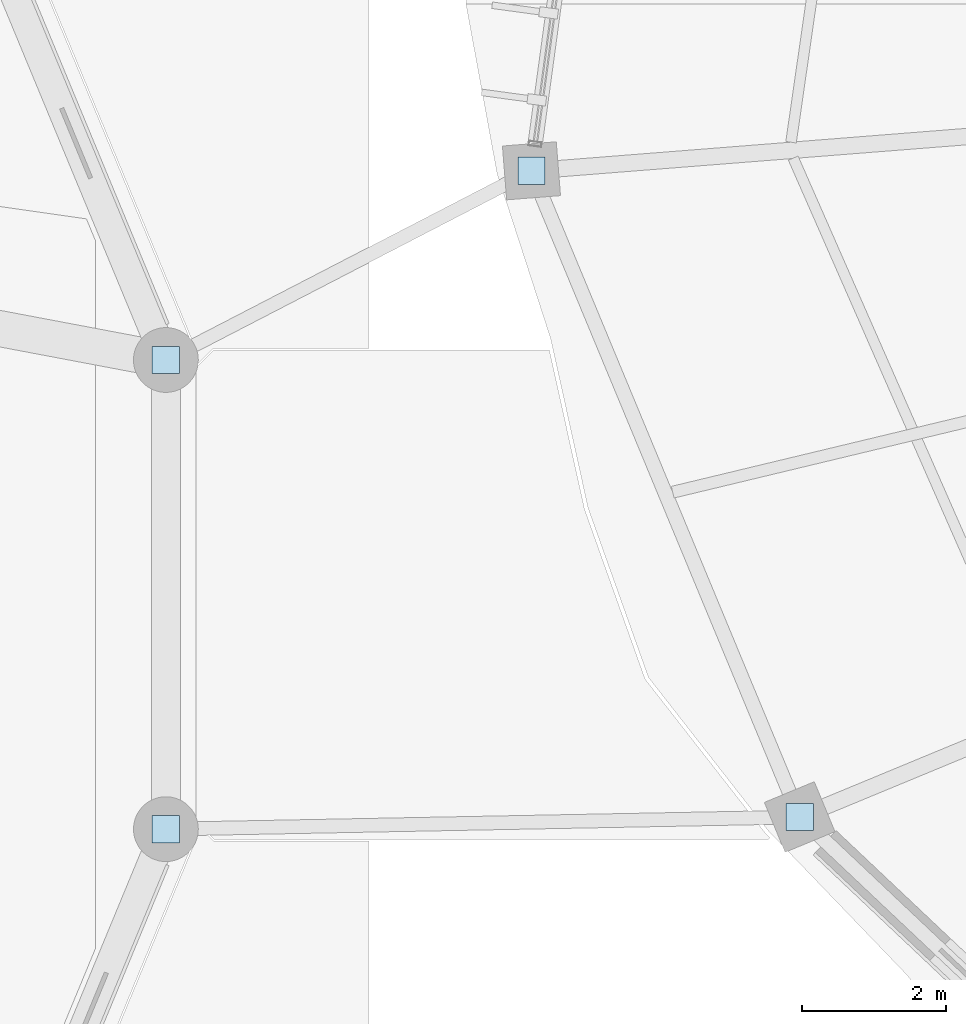
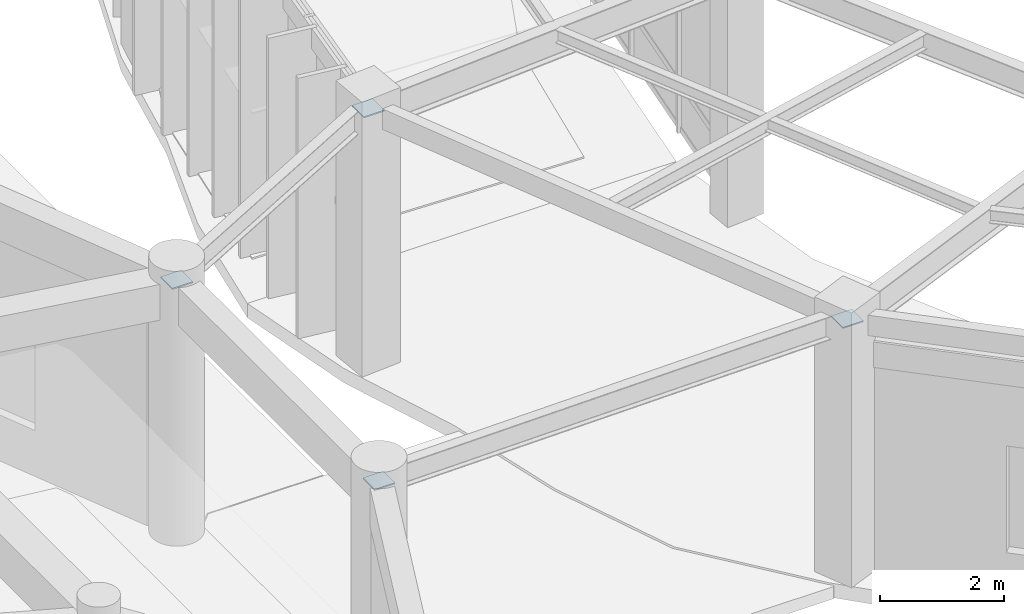
# One storey, part 121 of 157: 4 plates.
"""IFC4 building model written with IfcOpenShell, lengths in metres."""

from ifc_helpers import new_model, si_unit, direction, frame, origin, origin_2d, place, context, subcontext, project, spatial, rectangle, extrude, material, layer, layer_set, type_object, element, save


model = new_model("IFC4")

# Units and contexts
model_context = context("Model", 3, precision=1e-05, world=origin(), true_north=direction((0.0, 1.0)))
body_context = subcontext(model_context, "Body", "Model", "MODEL_VIEW")
ifc_project = project(units=[si_unit("LENGTHUNIT", "METRE"), si_unit("AREAUNIT", "SQUARE_METRE"), si_unit("VOLUMEUNIT", "CUBIC_METRE"), si_unit("PLANEANGLEUNIT", "RADIAN"), si_unit("MASSUNIT", "GRAM", prefix="KILO"), si_unit("THERMODYNAMICTEMPERATUREUNIT", "KELVIN"), si_unit("POWERUNIT", "WATT")], contexts=[model_context])

# Site, building, storey
site_placement = place(None, origin())
site = spatial("IfcSite", under=ifc_project, at=site_placement, CompositionType="ELEMENT")
building_placement = place(site_placement, origin())
building = spatial("IfcBuilding", under=site, at=building_placement, Name="Darbajah Civic Hall", CompositionType="ELEMENT")
storey_placement = place(building_placement, origin())
storey = spatial("IfcBuildingStorey", under=building, at=storey_placement, Name="L00", CompositionType="ELEMENT", Elevation=0.0)

# Plates
ifc_material = material(Name="Steel S355JR", Category="steel")
ifc_layer = layer(ifc_material, 0.02490234375, Name="Steel S355JR")
ifc_layer_set = layer_set([ifc_layer], Name="Steel S355JR")
plate_type = type_object("IfcPlateType", Name="Steel Gusset Plate 380x380x25", PredefinedType="SHEET", material=ifc_layer_set)
for number, where, z_axis, x_axis, name in (
    (1, (33.179931640625, 84.858154296875, 4.907470703125), (0.0, 0.0, 1.0), (1.0, 0.0, 0.0), "Link walk PTFE sliding bearing seat plate SBG-09"),
    (2, (38.257080078125, 87.485595703125, 4.907470703125), (0.0, 0.0, 1.0), (1.0, 0.0, 0.0), "Link walk PTFE sliding bearing seat plate SBG-10"),
    (3, (33.179931640625, 78.341796875, 4.907470703125), (0.0, 0.0, 1.0), (1.0, 0.0, 0.0), "Link walk PTFE sliding bearing seat plate SBG-11"),
    (4, (41.982177734375, 78.5107421875, 4.907470703125), (0.0, 0.0, 1.0), (1.0, 0.0, 0.0), "Link walk PTFE sliding bearing seat plate SBG-12"),
):
    element("IfcPlate", number, at=place(storey_placement, frame(where, z_axis=z_axis, x_axis=x_axis)), inside=storey, type_object=plate_type, Name=name, PredefinedType="SHEET", context=body_context, shape_type="SweptSolid", body=[
        extrude(rectangle(XDim=0.3798828125, YDim=0.3798828125, at=origin_2d()), origin(), (0.0, 0.0, 1.0), 0.02490234375),
    ])

save(model, "model.ifc")
